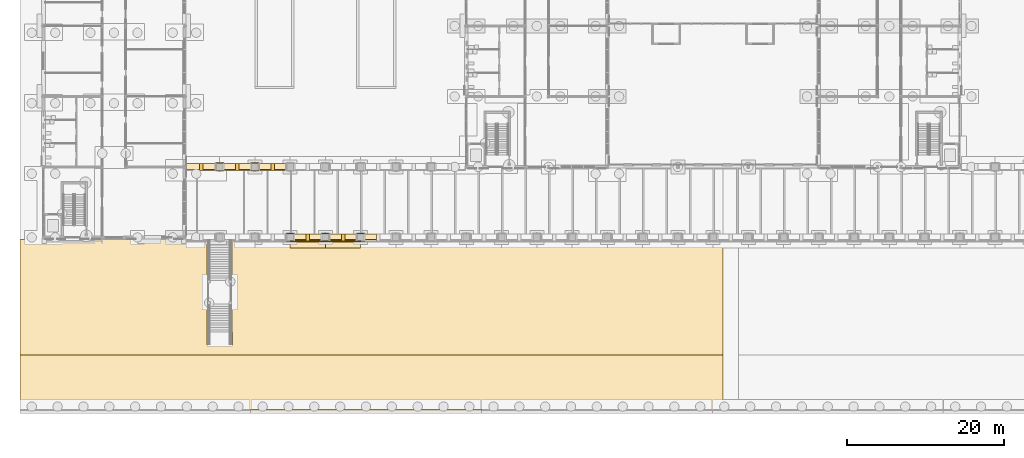
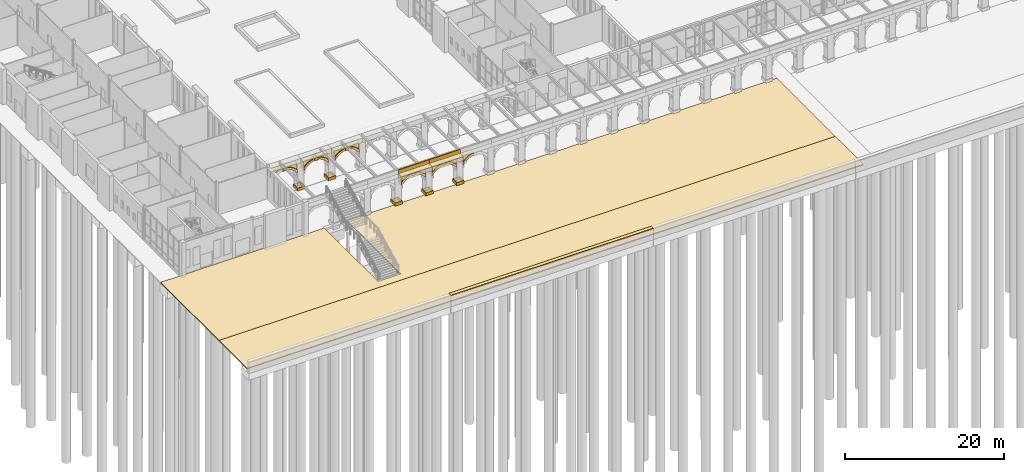
# One storey, part 125 of 168: 38 coverings.
"""IFC4 building model written with IfcOpenShell, lengths in metres."""

from ifc_helpers import new_model, si_unit, direction, frame, origin, origin_2d, place, context, subcontext, project, spatial, polyline, rectangle, outline, extrude, material, layer, layer_set, material_profile, profile_set, type_object, element, save


model = new_model("IFC4")

# Units and contexts
model_context = context("Model", 3, precision=1e-05, world=origin(), true_north=direction((0.0, 1.0)))
body_context = subcontext(model_context, "Body", "Model", "MODEL_VIEW")
ifc_project = project(units=[si_unit("LENGTHUNIT", "METRE"), si_unit("AREAUNIT", "SQUARE_METRE"), si_unit("VOLUMEUNIT", "CUBIC_METRE"), si_unit("PLANEANGLEUNIT", "RADIAN"), si_unit("MASSUNIT", "GRAM", prefix="KILO")], contexts=[model_context])

# Site, building, storey
site_placement = place(None, origin())
site = spatial("IfcSite", under=ifc_project, at=site_placement, CompositionType="ELEMENT")
building_placement = place(site_placement, origin())
building = spatial("IfcBuilding", under=site, at=building_placement, Name="Golden Quay Civic Hall", CompositionType="ELEMENT")
storey_placement = place(building_placement, origin())
storey = spatial("IfcBuildingStorey", under=building, at=storey_placement, Name="L00", CompositionType="ELEMENT", Elevation=0.0)

# Coverings
ifc_material_1 = material(Name="Brick, dark clay facing", Category="masonry")
ifc_layer_1 = layer(ifc_material_1, 0.75)
ifc_layer_set_1 = layer_set([ifc_layer_1], Name="Brick arch spandrel infill 750")
covering_type_1 = type_object("IfcCoveringType", Name="Brick arch spandrel infill 750", PredefinedType="CLADDING", material=ifc_layer_set_1)
covering_1_placement = place(storey_placement, frame((31.949951171875, -9.300048828125, 3.17578125), z_axis=(0.0, -1.0, 0.0), x_axis=(0.707106781187, 0.0, 0.707106781187)))
element("IfcCovering", 1, at=covering_1_placement, inside=storey, type_object=covering_type_1, Name="Arch spandrel outer bay 4 left", PredefinedType="CLADDING", context=body_context, shape_type="SweptSolid", body=[
    extrude(outline(polyline([(0.0, 0.0), (0.0006905339660024879, 0.0), (0.35182705567826755, 0.004143203796014933), (0.6755148522419337, -0.02468658928458889), (0.9739981590465092, -0.08528094480130727), (1.2481401435494968, -0.17608616133063437), (1.4988039732084, -0.29589380443206603), (1.7083810318901549, -0.4322742627175573), (1.760861613306344, -0.46645569403468046), (1.767249052491867, -0.4600682548491575), (0.6535903988213547, 0.6535903988213547), (0.0, 0.0)])), origin(), (0.0, 0.0, -1.0), 0.75),
])
covering_2_placement = place(storey_placement, frame((33.97509765625, -9.300048828125, 4.091064453125), z_axis=(0.0, -1.0, 0.0), x_axis=(0.97842552974, 0.0, -0.206599813053)))
element("IfcCovering", 2, at=covering_2_placement, inside=storey, type_object=covering_type_1, Name="Arch spandrel outer bay 4 right", PredefinedType="CLADDING", context=body_context, shape_type="SweptSolid", body=[
    extrude(outline(polyline([(0.0, 0.0), (0.06263051710363293, 1.734723475976807e-18), (0.31267483867747137, -0.0001008788149670925), (0.5881025541456739, -0.03651242089648961), (0.8673750848258303, -0.11003975339043703), (1.1505561937424948, -0.22216655622637274), (1.4375212099073598, -0.3746658221616902), (1.7294911476562997, -0.5697749671774053), (1.7300697733119603, -0.5701518352031314), (1.539106176579233, 0.3342229342292182), (-0.0018662580768914177, 0.008838316552825392), (0.0, 0.0)])), origin(), (0.0, 0.0, -1.0), 0.75),
])
covering_3_placement = place(storey_placement, frame((36.449951171875, -9.300048828125, 3.17578125), z_axis=(0.0, -1.0, 0.0), x_axis=(0.707106781187, 0.0, 0.707106781187)))
element("IfcCovering", 3, at=covering_3_placement, inside=storey, type_object=covering_type_1, Name="Arch spandrel outer bay 5 left", PredefinedType="CLADDING", context=body_context, shape_type="SweptSolid", body=[
    extrude(outline(polyline([(0.0, 0.0), (0.0006905339660024879, 0.0), (0.35182705567826755, 0.004143203796014933), (0.6755148522419337, -0.02468658928458889), (0.9739981590465092, -0.08528094480130727), (1.2481401435494968, -0.17608616133063437), (1.4988039732084, -0.29589380443206603), (1.7083810318901549, -0.4322742627175573), (1.760861613306344, -0.46645569403468046), (1.767249052491867, -0.4600682548491575), (0.6535903988213547, 0.6535903988213547), (0.0, 0.0)])), origin(), (0.0, 0.0, -1.0), 0.75),
])
covering_4_placement = place(storey_placement, frame((38.47509765625, -9.300048828125, 4.091064453125), z_axis=(0.0, -1.0, 0.0), x_axis=(0.97842552974, 0.0, -0.206599813053)))
element("IfcCovering", 4, at=covering_4_placement, inside=storey, type_object=covering_type_1, Name="Arch spandrel outer bay 5 right", PredefinedType="CLADDING", context=body_context, shape_type="SweptSolid", body=[
    extrude(outline(polyline([(0.0, 0.0), (0.06263051710363293, 1.734723475976807e-18), (0.31267483867747137, -0.0001008788149670925), (0.5881025541456739, -0.03651242089648961), (0.8673750848258303, -0.11003975339043703), (1.1505561937424948, -0.22216655622637274), (1.4375212099073598, -0.3746658221616902), (1.7294911476562997, -0.5697749671774053), (1.7300697733119603, -0.5701518352031314), (1.539106176579233, 0.3342229342292182), (-0.0018662580768914177, 0.008838316552825392), (0.0, 0.0)])), origin(), (0.0, 0.0, -1.0), 0.75),
])
covering_5_placement = place(storey_placement, frame((40.949951171875, -9.300048828125, 3.17578125), z_axis=(0.0, -1.0, 0.0), x_axis=(0.707106781187, 0.0, 0.707106781187)))
element("IfcCovering", 5, at=covering_5_placement, inside=storey, type_object=covering_type_1, Name="Arch spandrel outer bay 6 left", PredefinedType="CLADDING", context=body_context, shape_type="SweptSolid", body=[
    extrude(outline(polyline([(0.0, 0.0), (0.0006905339660024879, 0.0), (0.35182705567826755, 0.004143203796014933), (0.6755148522419337, -0.02468658928458889), (0.9739981590465092, -0.08528094480130727), (1.2481401435494968, -0.17608616133063437), (1.4988039732084, -0.29589380443206603), (1.7083810318901549, -0.4322742627175573), (1.760861613306344, -0.46645569403468046), (1.767249052491867, -0.4600682548491575), (0.6535903988213547, 0.6535903988213547), (0.0, 0.0)])), origin(), (0.0, 0.0, -1.0), 0.75),
])
covering_6_placement = place(storey_placement, frame((18.199951171875, -0.300048828125, 3.1572265625), z_axis=(0.0, -1.0, 0.0), x_axis=(0.658056528973, 0.0, 0.752968528344)))
element("IfcCovering", 6, at=covering_6_placement, inside=storey, type_object=covering_type_1, Name="Arch spandrel inner0 bay 1 left", PredefinedType="CLADDING", context=body_context, shape_type="SweptSolid", body=[
    extrude(outline(polyline([(0.0, 0.0), (0.0385842612026579, 0.0), (0.4021525223351694, -0.03276039665791591), (0.7352018795032452, -0.09738057643804893), (1.0399151233174213, -0.19227712789255808), (1.3174647506449282, -0.31545263540967905), (1.568425423981958, -0.46608063545322176), (1.778152518425552, -0.6303723176978897), (1.8223660004242417, -0.6650096362183683), (1.8286162274661582, -0.659547252921231), (0.7099522598788931, 0.6204624792218898), (0.0, 0.0)])), origin(), (0.0, 0.0, -1.0), 0.75),
])
covering_7_placement = place(storey_placement, frame((20.35009765625, -0.300048828125, 4.091796875), z_axis=(0.0, -1.0, 0.0), x_axis=(0.982376592497, 0.0, -0.186912360519)))
element("IfcCovering", 7, at=covering_7_placement, inside=storey, type_object=covering_type_1, Name="Arch spandrel inner0 bay 1 right", PredefinedType="CLADDING", context=body_context, shape_type="SweptSolid", body=[
    extrude(outline(polyline([(0.0, 0.0), (0.05616561069495772, 0.0), (0.3225810962179613, -8.489841956726973e-06), (0.6130292018599638, -0.03620174733371928), (0.9074781455240727, -0.11040296603549432), (1.2058706207770802, -0.2236171309889091), (1.5078978096178108, -0.37813968321301317), (1.814301511987233, -0.5765632081953413), (1.8446749828176605, -0.600358112739552), (1.6684407210194774, 0.3258963795020623), (-0.001551518617591463, 0.0081544931994342), (0.0, 0.0)])), origin(), (0.0, 0.0, -1.0), 0.75),
])
covering_8_placement = place(storey_placement, frame((22.949951171875, -0.300048828125, 3.17578125), z_axis=(0.0, -1.0, 0.0), x_axis=(0.707106781187, 0.0, 0.707106781187)))
element("IfcCovering", 8, at=covering_8_placement, inside=storey, type_object=covering_type_1, Name="Arch spandrel inner0 bay 2 left", PredefinedType="CLADDING", context=body_context, shape_type="SweptSolid", body=[
    extrude(outline(polyline([(0.0, 0.0), (0.0006905339660024879, 0.0), (0.35182705567826755, 0.004143203796014933), (0.6755148522419337, -0.02468658928458889), (0.9739981590465092, -0.08528094480130727), (1.2481401435494968, -0.17608616133063437), (1.4988039732084, -0.29589380443206603), (1.7083810318901549, -0.4322742627175573), (1.760861613306344, -0.46645569403468046), (1.767249052491867, -0.4600682548491575), (0.6535903988213547, 0.6535903988213547), (0.0, 0.0)])), origin(), (0.0, 0.0, -1.0), 0.75),
])
covering_9_placement = place(storey_placement, frame((24.97509765625, -0.300048828125, 4.091064453125), z_axis=(0.0, -1.0, 0.0), x_axis=(0.97842552974, 0.0, -0.206599813053)))
element("IfcCovering", 9, at=covering_9_placement, inside=storey, type_object=covering_type_1, Name="Arch spandrel inner0 bay 2 right", PredefinedType="CLADDING", context=body_context, shape_type="SweptSolid", body=[
    extrude(outline(polyline([(0.0, 0.0), (0.06263051710363293, 1.734723475976807e-18), (0.31267483867747137, -0.0001008788149670925), (0.5881025541456739, -0.03651242089648961), (0.8673750848258303, -0.11003975339043703), (1.1505561937424948, -0.22216655622637274), (1.4375212099073598, -0.3746658221616902), (1.7294911476562997, -0.5697749671774053), (1.7300697733119603, -0.5701518352031314), (1.539106176579233, 0.3342229342292182), (-0.0018662580768914177, 0.008838316552825392), (0.0, 0.0)])), origin(), (0.0, 0.0, -1.0), 0.75),
])
covering_10_placement = place(storey_placement, frame((27.449951171875, -0.300048828125, 3.17578125), z_axis=(0.0, -1.0, 0.0), x_axis=(0.707106781187, 0.0, 0.707106781187)))
element("IfcCovering", 10, at=covering_10_placement, inside=storey, type_object=covering_type_1, Name="Arch spandrel inner0 bay 3 left", PredefinedType="CLADDING", context=body_context, shape_type="SweptSolid", body=[
    extrude(outline(polyline([(0.0, 0.0), (0.0006905339660024879, 0.0), (0.35182705567826755, 0.004143203796014933), (0.6755148522419337, -0.02468658928458889), (0.9739981590465092, -0.08528094480130727), (1.2481401435494968, -0.17608616133063437), (1.4988039732084, -0.29589380443206603), (1.7083810318901549, -0.4322742627175573), (1.760861613306344, -0.46645569403468046), (1.767249052491867, -0.4600682548491575), (0.6535903988213547, 0.6535903988213547), (0.0, 0.0)])), origin(), (0.0, 0.0, -1.0), 0.75),
])
covering_11_placement = place(storey_placement, frame((29.47509765625, -0.300048828125, 4.091064453125), z_axis=(0.0, -1.0, 0.0), x_axis=(0.97842552974, 0.0, -0.206599813053)))
element("IfcCovering", 11, at=covering_11_placement, inside=storey, type_object=covering_type_1, Name="Arch spandrel inner0 bay 3 right", PredefinedType="CLADDING", context=body_context, shape_type="SweptSolid", body=[
    extrude(outline(polyline([(0.0, 0.0), (0.06263051710363293, 1.734723475976807e-18), (0.31267483867747137, -0.0001008788149670925), (0.5881025541456739, -0.03651242089648961), (0.8673750848258303, -0.11003975339043703), (1.1505561937424948, -0.22216655622637274), (1.4375212099073598, -0.3746658221616902), (1.7294911476562997, -0.5697749671774053), (1.7300697733119603, -0.5701518352031314), (1.539106176579233, 0.3342229342292182), (-0.0018662580768914177, 0.008838316552825392), (0.0, 0.0)])), origin(), (0.0, 0.0, -1.0), 0.75),
])
ifc_material_2 = material(Name="Granite paving", Category="masonry")
ifc_layer_2 = layer(ifc_material_2, 0.14990234375)
ifc_layer_set_2 = layer_set([ifc_layer_2], Name="Granite paving 150")
covering_type_2 = type_object("IfcCoveringType", Name="Granite paving 150", PredefinedType="FLOORING", material=ifc_layer_set_2)
covering_12_placement = place(storey_placement, frame((0.0, 0.0, -0.14990234375)))
element("IfcCovering", 12, at=covering_12_placement, inside=storey, type_object=covering_type_2, Name="Harbour promenade paving", PredefinedType="FLOORING", context=body_context, shape_type="SweptSolid", body=[
    extrude(outline(polyline([(86.75, -24.0), (86.75, -31.10009765625), (-3.0, -31.10009765625), (-3.0, -24.0), (86.75, -24.0)])), origin(), (0.0, 0.0, 1.0), 0.14990234375),
])
covering_13_placement = place(storey_placement, frame((0.0, 0.0, -0.14990234375)))
element("IfcCovering", 13, at=covering_13_placement, inside=storey, type_object=covering_type_2, Name="Civic square paving", PredefinedType="FLOORING", context=body_context, shape_type="SweptSolid", body=[
    extrude(outline(polyline([(86.75, -9.25), (86.75, -24.0), (-3.0, -24.0), (-3.0, -9.25), (-0.25, -9.25), (0.010986328125, -9.25), (7.489013671875, -9.25), (7.510986328125, -9.25), (10.489013671875, -9.25), (10.510986328125, -9.25), (17.989013671875, -9.25), (18.25, -9.25), (20.85009765625, -9.25), (20.85009765625, -14.35009765625), (20.85009765625, -14.64990234375), (20.85009765625, -17.050048828125), (20.85009765625, -17.64990234375), (20.85009765625, -22.75), (24.14990234375, -22.75), (24.14990234375, -17.64990234375), (24.14990234375, -17.050048828125), (24.14990234375, -14.64990234375), (24.14990234375, -14.35009765625), (24.14990234375, -9.25), (26.5, -9.25), (26.5, -9.5), (27.5, -9.5), (27.5, -9.25), (31.0, -9.25), (31.0, -9.5), (32.0, -9.5), (32.0, -9.25), (35.5, -9.25), (35.5, -9.5), (36.5, -9.5), (36.5, -9.25), (40.0, -9.25), (40.0, -9.5), (41.0, -9.5), (41.0, -9.25), (44.5, -9.25), (44.5, -9.5), (45.5, -9.5), (45.5, -9.25), (49.0, -9.25), (49.0, -9.5), (50.0, -9.5), (50.0, -9.25), (53.5, -9.25), (53.5, -9.5), (54.5, -9.5), (54.5, -9.25), (58.0, -9.25), (58.0, -9.5), (59.0, -9.5), (59.0, -9.25), (62.5, -9.25), (62.5, -9.5), (63.5, -9.5), (63.5, -9.25), (67.0, -9.25), (67.0, -9.5), (68.0, -9.5), (68.0, -9.25), (71.5, -9.25), (71.5, -9.5), (72.5, -9.5), (72.5, -9.25), (76.0, -9.25), (76.0, -9.5), (77.0, -9.5), (77.0, -9.25), (80.5, -9.25), (80.5, -9.5), (81.5, -9.5), (81.5, -9.25), (85.0, -9.25), (85.0, -9.5), (86.0, -9.5), (86.0, -9.25), (86.75, -9.25)])), origin(), (0.0, 0.0, 1.0), 0.14990234375),
])
ifc_material_3 = material(Name="Granite", Category="masonry")
ifc_layer_3 = layer(ifc_material_3, 0.10009765625)
ifc_layer_set_3 = layer_set([ifc_layer_3], Name="Granite wall coping 500 x 100")
covering_type_3 = type_object("IfcCoveringType", Name="Granite wall coping 500 x 100", PredefinedType="CLADDING", material=ifc_layer_set_3)
covering_14_placement = place(storey_placement, frame((0.0, 0.0, 1.10009765625)))
element("IfcCovering", 14, at=covering_14_placement, inside=storey, type_object=covering_type_3, Name="Quay wall coping run 2", PredefinedType="CLADDING", context=body_context, shape_type="SweptSolid", body=[
    extrude(outline(polyline([(26.43994140625, -31.5), (55.919921875, -31.5), (55.919921875, -31.0), (26.43994140625, -31.0), (26.43994140625, -31.5)])), origin(), (0.0, 0.0, 1.0), 0.099853515625),
])
ifc_material_4 = material(Name="Stone, buff limestone", Category="masonry")
ifc_layer_4 = layer(ifc_material_4, 0.89990234375)
ifc_layer_set_4 = layer_set([ifc_layer_4], Name="Stone arch keystone 450 x 420")
covering_type_4 = type_object("IfcCoveringType", Name="Stone arch keystone 450 x 420", PredefinedType="CLADDING", material=ifc_layer_set_4)
for number, where, z_axis, x_axis, name in (
    (15, (33.52490234375, -9.449951171875, 3.679931640625), (0.0, -1.0, 0.0), (1.0, 0.0, 0.0), "Arch keystone outer bay 4 crown"),
    (16, (38.02490234375, -9.449951171875, 3.679931640625), (0.0, -1.0, 0.0), (1.0, 0.0, 0.0), "Arch keystone outer bay 5 crown"),
    (17, (19.89990234375, -0.449951171875, 3.679931640625), (0.0, -1.0, 0.0), (1.0, 0.0, 0.0), "Arch keystone inner0 bay 1 crown"),
    (18, (24.52490234375, -0.449951171875, 3.679931640625), (0.0, -1.0, 0.0), (1.0, 0.0, 0.0), "Arch keystone inner0 bay 2 crown"),
    (19, (29.02490234375, -0.449951171875, 3.679931640625), (0.0, -1.0, 0.0), (1.0, 0.0, 0.0), "Arch keystone inner0 bay 3 crown"),
):
    element("IfcCovering", number, at=place(storey_placement, frame(where, z_axis=z_axis, x_axis=x_axis)), inside=storey, type_object=covering_type_4, Name=name, PredefinedType="CLADDING", context=body_context, shape_type="SweptSolid", body=[
        extrude(outline(polyline([(0.0, 0.0), (0.4501953125, 0.0), (0.4501953125, 0.420166015625), (0.0, 0.420166015625), (0.0, 0.0)])), origin(), (0.0, 0.0, -1.0), 0.89990234375),
    ])
ifc_material_5 = material(Name="Stone, buff limestone", Category="masonry")
ifc_layer_5 = layer(ifc_material_5, 0.89990234375)
ifc_layer_set_5 = layer_set([ifc_layer_5], Name="Stone arch ring 900 x 300")
covering_type_5 = type_object("IfcCoveringType", Name="Stone arch ring 900 x 300", PredefinedType="CLADDING", material=ifc_layer_set_5)
covering_15_placement = place(storey_placement, frame((31.949951171875, -9.449951171875, 2.699951171875), z_axis=(0.0, -1.0, 0.0), x_axis=(0.630180832165, 0.0, 0.776448400585)))
element("IfcCovering", 20, at=covering_15_placement, inside=storey, type_object=covering_type_5, Name="Arch ring outer bay 4 left", PredefinedType="CLADDING", context=body_context, shape_type="SweptSolid", body=[
    extrude(outline(polyline([(0.0, 0.0), (0.3571953394339093, 0.0), (0.6778408073481526, -0.02935016390994566), (0.9656562359875701, -0.08566026756533418), (1.2233312115769217, -0.1664329572349489), (1.452986632547569, -0.2696324374142566), (1.6564467051663616, -0.39440701136103273), (1.8345410995356382, -0.5394544374263122), (2.0726317223713804, -0.3462153931881483), (2.023967866388838, -0.30678937647863513), (1.8296201479431229, -0.14946443483618055), (1.5926919309667726, -0.004373956702034887), (1.3294118430005957, 0.11429790304869314), (1.038796361200025, 0.20543846536483718), (0.7198262528649223, 0.2675916358552039), (0.37014433379061235, 0.2997875748909126), (0.36945750311055836, 0.2998589946020553), (0.0, 0.0)])), origin(), (0.0, 0.0, -1.0), 0.89990234375),
])
covering_16_placement = place(storey_placement, frame((33.97509765625, -9.449951171875, 3.784423828125), z_axis=(0.0, -1.0, 0.0), x_axis=(0.978953882547, 0.0, -0.20408159115)))
element("IfcCovering", 21, at=covering_16_placement, inside=storey, type_object=covering_type_5, Name="Arch ring outer bay 4 right", PredefinedType="CLADDING", context=body_context, shape_type="SweptSolid", body=[
    extrude(outline(polyline([(0.0, 0.0), (0.22968754671057404, 0.0), (0.4662407685933837, -0.031737496286033756), (0.7094806084662527, -0.09674615254891705), (0.9602836680123576, -0.19683833887607075), (1.2190088401055397, -0.33493190882748347), (1.486164491441282, -0.5146617232013373), (1.7631254697749046, -0.7402301762123651), (1.666017310314196, -0.27441447379927847), (1.665439656274305, -0.27403611818824464), (1.3739727106559259, -0.07817636573824266), (1.0874010326963535, 0.07506077076837225), (0.8045093690852512, 0.18791584163726896), (0.5254269523975812, 0.26216151297199447), (0.25009383740278873, 0.29928162385615015), (5.060311670204709e-05, 0.3000258789264141), (-0.06257970666118522, 0.30018703039037287), (0.0, 0.0)])), origin(), (0.0, 0.0, -1.0), 0.89990234375),
])
covering_17_placement = place(storey_placement, frame((36.449951171875, -9.449951171875, 2.699951171875), z_axis=(0.0, -1.0, 0.0), x_axis=(0.630180832165, 0.0, 0.776448400585)))
element("IfcCovering", 22, at=covering_17_placement, inside=storey, type_object=covering_type_5, Name="Arch ring outer bay 5 left", PredefinedType="CLADDING", context=body_context, shape_type="SweptSolid", body=[
    extrude(outline(polyline([(0.0, 0.0), (0.3571953394339093, 0.0), (0.6778408073481526, -0.02935016390994566), (0.9656562359875701, -0.08566026756533418), (1.2233312115769217, -0.1664329572349489), (1.452986632547569, -0.2696324374142566), (1.6564467051663616, -0.39440701136103273), (1.8345410995356382, -0.5394544374263122), (2.0726317223713804, -0.3462153931881483), (2.023967866388838, -0.30678937647863513), (1.8296201479431229, -0.14946443483618055), (1.5926919309667726, -0.004373956702034887), (1.3294118430005957, 0.11429790304869314), (1.038796361200025, 0.20543846536483718), (0.7198262528649223, 0.2675916358552039), (0.37014433379061235, 0.2997875748909126), (0.36945750311055836, 0.2998589946020553), (0.0, 0.0)])), origin(), (0.0, 0.0, -1.0), 0.89990234375),
])
covering_18_placement = place(storey_placement, frame((38.47509765625, -9.449951171875, 3.784423828125), z_axis=(0.0, -1.0, 0.0), x_axis=(0.978953882547, 0.0, -0.20408159115)))
element("IfcCovering", 23, at=covering_18_placement, inside=storey, type_object=covering_type_5, Name="Arch ring outer bay 5 right", PredefinedType="CLADDING", context=body_context, shape_type="SweptSolid", body=[
    extrude(outline(polyline([(0.0, 0.0), (0.22968754671057404, 0.0), (0.4662407685933837, -0.031737496286033756), (0.7094806084662527, -0.09674615254891705), (0.9602836680123576, -0.19683833887607075), (1.2190088401055397, -0.33493190882748347), (1.486164491441282, -0.5146617232013373), (1.7631254697749046, -0.7402301762123651), (1.666017310314196, -0.27441447379927847), (1.665439656274305, -0.27403611818824464), (1.3739727106559259, -0.07817636573824266), (1.0874010326963535, 0.07506077076837225), (0.8045093690852512, 0.18791584163726896), (0.5254269523975812, 0.26216151297199447), (0.25009383740278873, 0.29928162385615015), (5.060311670204709e-05, 0.3000258789264141), (-0.06257970666118522, 0.30018703039037287), (0.0, 0.0)])), origin(), (0.0, 0.0, -1.0), 0.89990234375),
])
covering_19_placement = place(storey_placement, frame((40.949951171875, -9.449951171875, 2.699951171875), z_axis=(0.0, -1.0, 0.0), x_axis=(0.630180832165, 0.0, 0.776448400585)))
element("IfcCovering", 24, at=covering_19_placement, inside=storey, type_object=covering_type_5, Name="Arch ring outer bay 6 left", PredefinedType="CLADDING", context=body_context, shape_type="SweptSolid", body=[
    extrude(outline(polyline([(0.0, 0.0), (0.3571953394339093, 0.0), (0.6778408073481526, -0.02935016390994566), (0.9656562359875701, -0.08566026756533418), (1.2233312115769217, -0.1664329572349489), (1.452986632547569, -0.2696324374142566), (1.6564467051663616, -0.39440701136103273), (1.8345410995356382, -0.5394544374263122), (2.0726317223713804, -0.3462153931881483), (2.023967866388838, -0.30678937647863513), (1.8296201479431229, -0.14946443483618055), (1.5926919309667726, -0.004373956702034887), (1.3294118430005957, 0.11429790304869314), (1.038796361200025, 0.20543846536483718), (0.7198262528649223, 0.2675916358552039), (0.37014433379061235, 0.2997875748909126), (0.36945750311055836, 0.2998589946020553), (0.0, 0.0)])), origin(), (0.0, 0.0, -1.0), 0.89990234375),
])
covering_20_placement = place(storey_placement, frame((20.35009765625, -0.449951171875, 3.786376953125), z_axis=(0.0, -1.0, 0.0), x_axis=(0.982939290351, 0.0, -0.183930289744)))
element("IfcCovering", 25, at=covering_20_placement, inside=storey, type_object=covering_type_5, Name="Arch ring inner0 bay 1 right", PredefinedType="CLADDING", context=body_context, shape_type="SweptSolid", body=[
    extrude(outline(polyline([(0.0, 0.0), (0.24688786340350402, 0.0), (0.5000778577654419, -0.03235177585634241), (0.759599436808497, -0.09854008490102112), (1.0258567442357194, -0.20072470584818516), (1.2991037580492646, -0.34159027309324475), (1.5805389067688107, -0.5248865835273426), (1.8707754072436686, -0.7552180748473547), (1.7866686121533664, -0.30574412689165364), (1.7563674913828704, -0.28185715779537124), (1.4505673541333268, -0.0825047057154874), (1.1490104843418525, 0.07293369438710287), (0.8509629531809246, 0.18705286719602054), (0.5567405431855433, 0.2621473059930982), (0.26640361034481397, 0.2992218172849632), (-1.0622654082560745e-05, 0.3000387959534945), (-0.05617597472395519, 0.30020924126672827), (0.0, 0.0)])), origin(), (0.0, 0.0, -1.0), 0.89990234375),
])
covering_21_placement = place(storey_placement, frame((22.949951171875, -0.449951171875, 2.699951171875), z_axis=(0.0, -1.0, 0.0), x_axis=(0.630180832165, 0.0, 0.776448400585)))
element("IfcCovering", 26, at=covering_21_placement, inside=storey, type_object=covering_type_5, Name="Arch ring inner0 bay 2 left", PredefinedType="CLADDING", context=body_context, shape_type="SweptSolid", body=[
    extrude(outline(polyline([(0.0, 0.0), (0.3571953394339093, 0.0), (0.6778408073481526, -0.02935016390994566), (0.9656562359875701, -0.08566026756533418), (1.2233312115769217, -0.1664329572349489), (1.452986632547569, -0.2696324374142566), (1.6564467051663616, -0.39440701136103273), (1.8345410995356382, -0.5394544374263122), (2.0726317223713804, -0.3462153931881483), (2.023967866388838, -0.30678937647863513), (1.8296201479431229, -0.14946443483618055), (1.5926919309667726, -0.004373956702034887), (1.3294118430005957, 0.11429790304869314), (1.038796361200025, 0.20543846536483718), (0.7198262528649223, 0.2675916358552039), (0.37014433379061235, 0.2997875748909126), (0.36945750311055836, 0.2998589946020553), (0.0, 0.0)])), origin(), (0.0, 0.0, -1.0), 0.89990234375),
])
covering_22_placement = place(storey_placement, frame((24.97509765625, -0.449951171875, 3.784423828125), z_axis=(0.0, -1.0, 0.0), x_axis=(0.978953882547, 0.0, -0.20408159115)))
element("IfcCovering", 27, at=covering_22_placement, inside=storey, type_object=covering_type_5, Name="Arch ring inner0 bay 2 right", PredefinedType="CLADDING", context=body_context, shape_type="SweptSolid", body=[
    extrude(outline(polyline([(0.0, 0.0), (0.22968754671057404, 0.0), (0.4662407685933837, -0.031737496286033756), (0.7094806084662527, -0.09674615254891705), (0.9602836680123576, -0.19683833887607075), (1.2190088401055397, -0.33493190882748347), (1.486164491441282, -0.5146617232013373), (1.7631254697749046, -0.7402301762123651), (1.666017310314196, -0.27441447379927847), (1.665439656274305, -0.27403611818824464), (1.3739727106559259, -0.07817636573824266), (1.0874010326963535, 0.07506077076837225), (0.8045093690852512, 0.18791584163726896), (0.5254269523975812, 0.26216151297199447), (0.25009383740278873, 0.29928162385615015), (5.060311670204709e-05, 0.3000258789264141), (-0.06257970666118522, 0.30018703039037287), (0.0, 0.0)])), origin(), (0.0, 0.0, -1.0), 0.89990234375),
])
covering_23_placement = place(storey_placement, frame((27.449951171875, -0.449951171875, 2.699951171875), z_axis=(0.0, -1.0, 0.0), x_axis=(0.630180832165, 0.0, 0.776448400585)))
element("IfcCovering", 28, at=covering_23_placement, inside=storey, type_object=covering_type_5, Name="Arch ring inner0 bay 3 left", PredefinedType="CLADDING", context=body_context, shape_type="SweptSolid", body=[
    extrude(outline(polyline([(0.0, 0.0), (0.3571953394339093, 0.0), (0.6778408073481526, -0.02935016390994566), (0.9656562359875701, -0.08566026756533418), (1.2233312115769217, -0.1664329572349489), (1.452986632547569, -0.2696324374142566), (1.6564467051663616, -0.39440701136103273), (1.8345410995356382, -0.5394544374263122), (2.0726317223713804, -0.3462153931881483), (2.023967866388838, -0.30678937647863513), (1.8296201479431229, -0.14946443483618055), (1.5926919309667726, -0.004373956702034887), (1.3294118430005957, 0.11429790304869314), (1.038796361200025, 0.20543846536483718), (0.7198262528649223, 0.2675916358552039), (0.37014433379061235, 0.2997875748909126), (0.36945750311055836, 0.2998589946020553), (0.0, 0.0)])), origin(), (0.0, 0.0, -1.0), 0.89990234375),
])
covering_24_placement = place(storey_placement, frame((29.47509765625, -0.449951171875, 3.784423828125), z_axis=(0.0, -1.0, 0.0), x_axis=(0.978953882547, 0.0, -0.20408159115)))
element("IfcCovering", 29, at=covering_24_placement, inside=storey, type_object=covering_type_5, Name="Arch ring inner0 bay 3 right", PredefinedType="CLADDING", context=body_context, shape_type="SweptSolid", body=[
    extrude(outline(polyline([(0.0, 0.0), (0.22968754671057404, 0.0), (0.4662407685933837, -0.031737496286033756), (0.7094806084662527, -0.09674615254891705), (0.9602836680123576, -0.19683833887607075), (1.2190088401055397, -0.33493190882748347), (1.486164491441282, -0.5146617232013373), (1.7631254697749046, -0.7402301762123651), (1.666017310314196, -0.27441447379927847), (1.665439656274305, -0.27403611818824464), (1.3739727106559259, -0.07817636573824266), (1.0874010326963535, 0.07506077076837225), (0.8045093690852512, 0.18791584163726896), (0.5254269523975812, 0.26216151297199447), (0.25009383740278873, 0.29928162385615015), (5.060311670204709e-05, 0.3000258789264141), (-0.06257970666118522, 0.30018703039037287), (0.0, 0.0)])), origin(), (0.0, 0.0, -1.0), 0.89990234375),
])
ifc_material_6 = material(Name="Stone, buff limestone", Category="masonry")
ifc_material_profile_1 = material_profile(ifc_material_6, rectangle(XDim=0.89990234375, YDim=0.60009765625, at=origin_2d()), Name="RC 900x600")
ifc_profile_set_1 = profile_set([ifc_material_profile_1], Name="Stone, buff limestone")
covering_type_6 = type_object("IfcCoveringType", Name="Stone cornice 900 x 600", PredefinedType="MOLDING", material=ifc_profile_set_1)
for number, where, z_axis, x_axis, name in (
    (30, (31.5, -9.89990234375, 4.5), (1.0, 0.0, 0.0), (0.0, 1.0, 0.0), "Stone cornice outer bay 4"),
    (31, (36.0, -9.89990234375, 4.5), (1.0, 0.0, 0.0), (0.0, 1.0, 0.0), "Stone cornice outer bay 5"),
):
    element("IfcCovering", number, at=place(storey_placement, frame(where, z_axis=z_axis, x_axis=x_axis)), inside=storey, type_object=covering_type_6, Name=name, PredefinedType="MOLDING", context=body_context, shape_type="SweptSolid", body=[
        extrude(rectangle(XDim=0.89990234375, YDim=0.60009765625, at=origin_2d()), origin(), (0.0, 0.0, 1.0), 4.5),
    ])
ifc_material_7 = material(Name="Stone, buff limestone", Category="masonry")
ifc_layer_6 = layer(ifc_material_7, 0.449951171875)
ifc_layer_set_6 = layer_set([ifc_layer_6], Name="Stone pier plinth 450")
covering_type_7 = type_object("IfcCoveringType", Name="Stone pier plinth 450", PredefinedType="CLADDING", material=ifc_layer_set_6)
covering_25_placement = place(storey_placement, origin())
element("IfcCovering", 32, at=covering_25_placement, inside=storey, type_object=covering_type_7, Name="Pier plinth outer 31.5", PredefinedType="CLADDING", context=body_context, shape_type="SweptSolid", body=[
    extrude(outline(polyline([(30.949951171875, -9.550048828125), (32.050048828125, -9.550048828125), (32.050048828125, -8.449951171875), (30.949951171875, -8.449951171875), (30.949951171875, -9.550048828125)]), holes=[polyline([(31.050048828125, -9.449951171875), (31.949951171875, -9.449951171875), (31.949951171875, -8.550048828125), (31.050048828125, -8.550048828125), (31.050048828125, -9.449951171875)])]), origin(), (0.0, 0.0, 1.0), 0.449951171875),
])
covering_26_placement = place(storey_placement, origin())
element("IfcCovering", 33, at=covering_26_placement, inside=storey, type_object=covering_type_7, Name="Pier plinth outer 36", PredefinedType="CLADDING", context=body_context, shape_type="SweptSolid", body=[
    extrude(outline(polyline([(35.449951171875, -9.550048828125), (36.550048828125, -9.550048828125), (36.550048828125, -8.449951171875), (35.449951171875, -8.449951171875), (35.449951171875, -9.550048828125)]), holes=[polyline([(35.550048828125, -9.449951171875), (36.449951171875, -9.449951171875), (36.449951171875, -8.550048828125), (35.550048828125, -8.550048828125), (35.550048828125, -9.449951171875)])]), origin(), (0.0, 0.0, 1.0), 0.449951171875),
])
covering_27_placement = place(storey_placement, origin())
element("IfcCovering", 34, at=covering_27_placement, inside=storey, type_object=covering_type_7, Name="Pier plinth outer 40.5", PredefinedType="CLADDING", context=body_context, shape_type="SweptSolid", body=[
    extrude(outline(polyline([(39.949951171875, -9.550048828125), (41.050048828125, -9.550048828125), (41.050048828125, -8.449951171875), (39.949951171875, -8.449951171875), (39.949951171875, -9.550048828125)]), holes=[polyline([(40.050048828125, -9.449951171875), (40.949951171875, -9.449951171875), (40.949951171875, -8.550048828125), (40.050048828125, -8.550048828125), (40.050048828125, -9.449951171875)])]), origin(), (0.0, 0.0, 1.0), 0.449951171875),
])
covering_28_placement = place(storey_placement, origin())
element("IfcCovering", 35, at=covering_28_placement, inside=storey, type_object=covering_type_7, Name="Pier plinth inner0 22.5", PredefinedType="CLADDING", context=body_context, shape_type="SweptSolid", body=[
    extrude(outline(polyline([(21.949951171875, -0.550048828125), (23.050048828125, -0.550048828125), (23.050048828125, 0.550048828125), (21.949951171875, 0.550048828125), (21.949951171875, -0.550048828125)]), holes=[polyline([(22.050048828125, -0.449951171875), (22.949951171875, -0.449951171875), (22.949951171875, 0.449951171875), (22.050048828125, 0.449951171875), (22.050048828125, -0.449951171875)])]), origin(), (0.0, 0.0, 1.0), 0.449951171875),
])
covering_29_placement = place(storey_placement, origin())
element("IfcCovering", 36, at=covering_29_placement, inside=storey, type_object=covering_type_7, Name="Pier plinth inner0 27", PredefinedType="CLADDING", context=body_context, shape_type="SweptSolid", body=[
    extrude(outline(polyline([(26.449951171875, -0.550048828125), (27.550048828125, -0.550048828125), (27.550048828125, 0.550048828125), (26.449951171875, 0.550048828125), (26.449951171875, -0.550048828125)]), holes=[polyline([(26.550048828125, -0.449951171875), (27.449951171875, -0.449951171875), (27.449951171875, 0.449951171875), (26.550048828125, 0.449951171875), (26.550048828125, -0.449951171875)])]), origin(), (0.0, 0.0, 1.0), 0.449951171875),
])
ifc_material_8 = material(Name="Stone, buff limestone", Category="masonry")
ifc_material_profile_2 = material_profile(ifc_material_8, rectangle(XDim=0.14990234375, YDim=0.60009765625, at=origin_2d()), Name="RC 150x600")
ifc_profile_set_2 = profile_set([ifc_material_profile_2], Name="Stone, buff limestone")
covering_type_8 = type_object("IfcCoveringType", Name="Stone terrace fascia 150 x 600", PredefinedType="CLADDING", material=ifc_profile_set_2)
for number, where, z_axis, x_axis, name in (
    (37, (31.5, -9.47509765625, 5.10009765625), (1.0, 0.0, 0.0), (0.0, 1.0, 0.0), "Terrace fascia bay 4"),
    (38, (36.0, -9.47509765625, 5.10009765625), (1.0, 0.0, 0.0), (0.0, 1.0, 0.0), "Terrace fascia bay 5"),
):
    element("IfcCovering", number, at=place(storey_placement, frame(where, z_axis=z_axis, x_axis=x_axis)), inside=storey, type_object=covering_type_8, Name=name, PredefinedType="CLADDING", context=body_context, shape_type="SweptSolid", body=[
        extrude(rectangle(XDim=0.14990234375, YDim=0.60009765625, at=origin_2d()), origin(), (0.0, 0.0, 1.0), 4.5),
    ])

save(model, "model.ifc")
